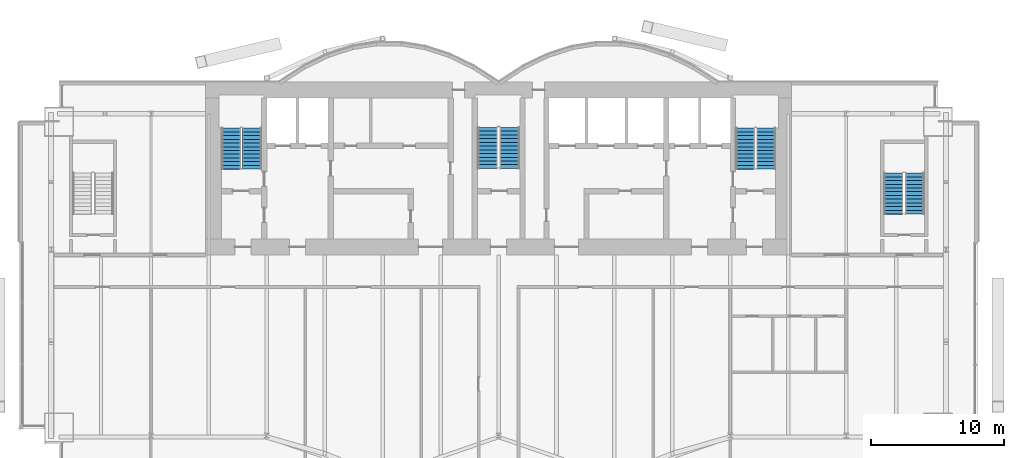
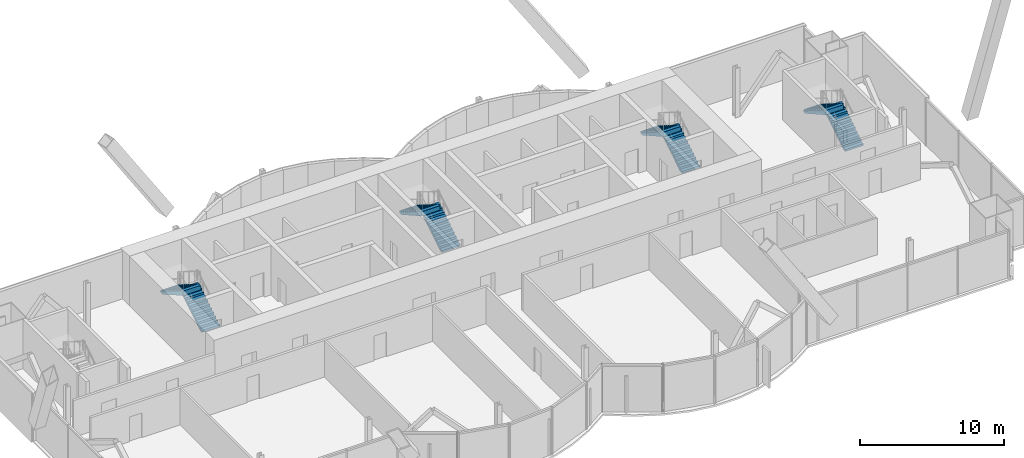
# One storey, part 20 of 23: 8 stair flights, 4 elements without a shape of their own.
"""IFC4 building model written with IfcOpenShell, lengths in metres."""

from ifc_helpers import new_model, si_unit, direction, frame, origin, place, context, subcontext, project, spatial, polyline, outline, extrude, material, type_object, element, aggregate, save


model = new_model("IFC4")

# Units and contexts
model_context = context("Model", 3, precision=1e-05, world=origin(), true_north=direction((0.0, 1.0)))
body_context = subcontext(model_context, "Body", "Model", "MODEL_VIEW")
ifc_project = project(units=[si_unit("LENGTHUNIT", "METRE"), si_unit("AREAUNIT", "SQUARE_METRE"), si_unit("VOLUMEUNIT", "CUBIC_METRE"), si_unit("PLANEANGLEUNIT", "RADIAN"), si_unit("MASSUNIT", "GRAM", prefix="KILO")], contexts=[model_context])

# Site, building, storey
site_placement = place(None, origin())
site = spatial("IfcSite", under=ifc_project, at=site_placement, CompositionType="ELEMENT")
building_placement = place(site_placement, origin())
building = spatial("IfcBuilding", under=site, at=building_placement, Name="Bicima Exchange Tower", CompositionType="ELEMENT")
storey_placement = place(building_placement, frame((0.0, 0.0, 262.39990234375)))
storey = spatial("IfcBuildingStorey", under=building, at=storey_placement, Name="L59", CompositionType="ELEMENT", Elevation=262.39990234375)

# Stair, stair flights
ifc_material = material(Name="Concrete C50/60", Category="concrete")
stair_type_1 = type_object("IfcStairType", Name="Exit stair", PredefinedType="HALF_TURN_STAIR", material=ifc_material)
stair_1_placement = place(storey_placement, origin())
stair_1 = element("IfcStair", 1, at=stair_1_placement, inside=storey, type_object=stair_type_1, Name="L59 West exit stair", PredefinedType="HALF_TURN_STAIR")
stair_flight_type_1 = type_object("IfcStairFlightType", Name="Stair flight RC", PredefinedType="STRAIGHT", material=ifc_material)
stair_flight_1_placement = place(storey_placement, frame((-18.52490234375, -6.550048828125, 0.0), z_axis=(0.0, 0.0, 1.0), x_axis=(0.0, 1.0, 0.0)))
stair_flight_1 = element("IfcStairFlight", 2, at=stair_flight_1_placement, type_object=stair_flight_type_1, Name="ST-W flight 1", NumberOfRisers=12, NumberOfTreads=11, PredefinedType="STRAIGHT", RiserHeight=0.175, TreadLength=0.28, context=body_context, shape_type="SweptSolid", body=[
    extrude(outline(polyline([(0.0, 0.0), (0.0, 0.175048828125), (0.280029296875, 0.175048828125), (0.280029296875, 0.35009765625), (0.56005859375, 0.35009765625), (0.56005859375, 0.52490234375), (0.840087890625, 0.52490234375), (0.840087890625, 0.699951171875), (1.1201171875, 0.699951171875), (1.1201171875, 0.875), (1.39990234375, 0.875), (1.39990234375, 1.050048828125), (1.679931640625, 1.050048828125), (1.679931640625, 1.22509765625), (1.9599609375, 1.22509765625), (1.9599609375, 1.39990234375), (2.239990234375, 1.39990234375), (2.239990234375, 1.574951171875), (2.52001953125, 1.574951171875), (2.52001953125, 1.75), (2.800048828125, 1.75), (2.800048828125, 1.925048828125), (3.080078125, 1.925048828125), (3.080078125, 2.10009765625), (3.080078125, 1.748291015625), (0.28271484375, 0.0), (0.0, 0.0)])), frame((0.0, 0.72509765625, 0.0), z_axis=(0.0, -1.0, 0.0), x_axis=(1.0, 0.0, 0.0)), (0.0, 0.0, 1.0), 1.449951171875),
])
stair_flight_2_placement = place(storey_placement, frame((-20.074951171875, -3.469970703125, 2.10009765625), z_axis=(0.0, 0.0, 1.0), x_axis=(0.0, -1.0, 0.0)))
stair_flight_2 = element("IfcStairFlight", 3, at=stair_flight_2_placement, type_object=stair_flight_type_1, Name="ST-W flight 2", NumberOfRisers=12, NumberOfTreads=11, PredefinedType="STRAIGHT", RiserHeight=0.175, TreadLength=0.28, context=body_context, shape_type="SweptSolid", body=[
    extrude(outline(polyline([(0.0, 0.0), (0.0, 0.175048828125), (0.280029296875, 0.175048828125), (0.280029296875, 0.35009765625), (0.56005859375, 0.35009765625), (0.56005859375, 0.52490234375), (0.840087890625, 0.52490234375), (0.840087890625, 0.699951171875), (1.1201171875, 0.699951171875), (1.1201171875, 0.875), (1.39990234375, 0.875), (1.39990234375, 1.050048828125), (1.679931640625, 1.050048828125), (1.679931640625, 1.22509765625), (1.9599609375, 1.22509765625), (1.9599609375, 1.39990234375), (2.239990234375, 1.39990234375), (2.239990234375, 1.574951171875), (2.52001953125, 1.574951171875), (2.52001953125, 1.75), (2.800048828125, 1.75), (2.800048828125, 1.925048828125), (3.080078125, 1.925048828125), (3.080078125, 1.9541015625), (3.094970703125, 1.9541015625), (3.094970703125, 1.58251953125), (0.28271484375, 0.0), (0.0, 0.0)])), frame((0.0, 0.72509765625, 0.0), z_axis=(0.0, -1.0, 0.0), x_axis=(1.0, 0.0, 0.0)), (0.0, 0.0, 1.0), 1.449951171875),
])
aggregate(stair_1, [stair_flight_1, stair_flight_2])

stair_2_placement = place(storey_placement, origin())
stair_2 = element("IfcStair", 4, at=stair_2_placement, inside=storey, type_object=stair_type_1, Name="L59 East exit stair", PredefinedType="HALF_TURN_STAIR")
stair_flight_3_placement = place(storey_placement, frame((20.074951171875, -6.550048828125, 0.0), z_axis=(0.0, 0.0, 1.0), x_axis=(0.0, 1.0, 0.0)))
stair_flight_3 = element("IfcStairFlight", 5, at=stair_flight_3_placement, type_object=stair_flight_type_1, Name="ST-E flight 1", NumberOfRisers=12, NumberOfTreads=11, PredefinedType="STRAIGHT", RiserHeight=0.175, TreadLength=0.28, context=body_context, shape_type="SweptSolid", body=[
    extrude(outline(polyline([(0.0, 0.0), (0.0, 0.175048828125), (0.280029296875, 0.175048828125), (0.280029296875, 0.35009765625), (0.56005859375, 0.35009765625), (0.56005859375, 0.52490234375), (0.840087890625, 0.52490234375), (0.840087890625, 0.699951171875), (1.1201171875, 0.699951171875), (1.1201171875, 0.875), (1.39990234375, 0.875), (1.39990234375, 1.050048828125), (1.679931640625, 1.050048828125), (1.679931640625, 1.22509765625), (1.9599609375, 1.22509765625), (1.9599609375, 1.39990234375), (2.239990234375, 1.39990234375), (2.239990234375, 1.574951171875), (2.52001953125, 1.574951171875), (2.52001953125, 1.75), (2.800048828125, 1.75), (2.800048828125, 1.925048828125), (3.080078125, 1.925048828125), (3.080078125, 2.10009765625), (3.080078125, 1.748291015625), (0.28271484375, 0.0), (0.0, 0.0)])), frame((0.0, 0.72509765625, 0.0), z_axis=(0.0, -1.0, 0.0), x_axis=(1.0, 0.0, 0.0)), (0.0, 0.0, 1.0), 1.449951171875),
])
stair_flight_4_placement = place(storey_placement, frame((18.52490234375, -3.469970703125, 2.10009765625), z_axis=(0.0, 0.0, 1.0), x_axis=(0.0, -1.0, 0.0)))
stair_flight_4 = element("IfcStairFlight", 6, at=stair_flight_4_placement, type_object=stair_flight_type_1, Name="ST-E flight 2", NumberOfRisers=12, NumberOfTreads=11, PredefinedType="STRAIGHT", RiserHeight=0.175, TreadLength=0.28, context=body_context, shape_type="SweptSolid", body=[
    extrude(outline(polyline([(0.0, 0.0), (0.0, 0.175048828125), (0.280029296875, 0.175048828125), (0.280029296875, 0.35009765625), (0.56005859375, 0.35009765625), (0.56005859375, 0.52490234375), (0.840087890625, 0.52490234375), (0.840087890625, 0.699951171875), (1.1201171875, 0.699951171875), (1.1201171875, 0.875), (1.39990234375, 0.875), (1.39990234375, 1.050048828125), (1.679931640625, 1.050048828125), (1.679931640625, 1.22509765625), (1.9599609375, 1.22509765625), (1.9599609375, 1.39990234375), (2.239990234375, 1.39990234375), (2.239990234375, 1.574951171875), (2.52001953125, 1.574951171875), (2.52001953125, 1.75), (2.800048828125, 1.75), (2.800048828125, 1.925048828125), (3.080078125, 1.925048828125), (3.080078125, 1.9541015625), (3.094970703125, 1.9541015625), (3.094970703125, 1.58251953125), (0.28271484375, 0.0), (0.0, 0.0)])), frame((0.0, 0.72509765625, 0.0), z_axis=(0.0, -1.0, 0.0), x_axis=(1.0, 0.0, 0.0)), (0.0, 0.0, 1.0), 1.449951171875),
])
aggregate(stair_2, [stair_flight_3, stair_flight_4])

stair_3_placement = place(storey_placement, origin())
stair_3 = element("IfcStair", 7, at=stair_3_placement, inside=storey, type_object=stair_type_1, Name="L59 East end exit stair", PredefinedType="HALF_TURN_STAIR")
stair_flight_5_placement = place(storey_placement, frame((31.25, -9.925048828125, 0.0), z_axis=(0.0, 0.0, 1.0), x_axis=(0.0, 1.0, 0.0)))
stair_flight_5 = element("IfcStairFlight", 8, at=stair_flight_5_placement, type_object=stair_flight_type_1, Name="ST-EE flight 1", NumberOfRisers=12, NumberOfTreads=11, PredefinedType="STRAIGHT", RiserHeight=0.175, TreadLength=0.28, context=body_context, shape_type="SweptSolid", body=[
    extrude(outline(polyline([(0.0, 0.0), (0.0, 0.175048828125), (0.280029296875, 0.175048828125), (0.280029296875, 0.35009765625), (0.56005859375, 0.35009765625), (0.56005859375, 0.52490234375), (0.840087890625, 0.52490234375), (0.840087890625, 0.699951171875), (1.1201171875, 0.699951171875), (1.1201171875, 0.875), (1.39990234375, 0.875), (1.39990234375, 1.050048828125), (1.679931640625, 1.050048828125), (1.679931640625, 1.22509765625), (1.9599609375, 1.22509765625), (1.9599609375, 1.39990234375), (2.239990234375, 1.39990234375), (2.239990234375, 1.574951171875), (2.52001953125, 1.574951171875), (2.52001953125, 1.75), (2.800048828125, 1.75), (2.800048828125, 1.925048828125), (3.080078125, 1.925048828125), (3.080078125, 2.10009765625), (3.080078125, 1.748291015625), (0.28271484375, 0.0), (0.0, 0.0)])), frame((0.0, 0.72509765625, 0.0), z_axis=(0.0, -1.0, 0.0), x_axis=(1.0, 0.0, 0.0)), (0.0, 0.0, 1.0), 1.449951171875),
])
stair_flight_6_placement = place(storey_placement, frame((29.64990234375, -6.844970703125, 2.10009765625), z_axis=(0.0, 0.0, 1.0), x_axis=(0.0, -1.0, 0.0)))
stair_flight_6 = element("IfcStairFlight", 9, at=stair_flight_6_placement, type_object=stair_flight_type_1, Name="ST-EE flight 2", NumberOfRisers=12, NumberOfTreads=11, PredefinedType="STRAIGHT", RiserHeight=0.175, TreadLength=0.28, context=body_context, shape_type="SweptSolid", body=[
    extrude(outline(polyline([(0.0, 0.0), (0.0, 0.175048828125), (0.280029296875, 0.175048828125), (0.280029296875, 0.35009765625), (0.56005859375, 0.35009765625), (0.56005859375, 0.52490234375), (0.840087890625, 0.52490234375), (0.840087890625, 0.699951171875), (1.1201171875, 0.699951171875), (1.1201171875, 0.875), (1.39990234375, 0.875), (1.39990234375, 1.050048828125), (1.679931640625, 1.050048828125), (1.679931640625, 1.22509765625), (1.9599609375, 1.22509765625), (1.9599609375, 1.39990234375), (2.239990234375, 1.39990234375), (2.239990234375, 1.574951171875), (2.52001953125, 1.574951171875), (2.52001953125, 1.75), (2.800048828125, 1.75), (2.800048828125, 1.925048828125), (3.080078125, 1.925048828125), (3.080078125, 1.9541015625), (3.094970703125, 1.9541015625), (3.094970703125, 1.58251953125), (0.28271484375, 0.0), (0.0, 0.0)])), frame((0.0, 0.72509765625, 0.0), z_axis=(0.0, -1.0, 0.0), x_axis=(1.0, 0.0, 0.0)), (0.0, 0.0, 1.0), 1.449951171875),
])
aggregate(stair_3, [stair_flight_5, stair_flight_6])

stair_type_2 = type_object("IfcStairType", Name="Exit stair 1500", PredefinedType="HALF_TURN_STAIR", material=ifc_material)
stair_4_placement = place(storey_placement, origin())
stair_4 = element("IfcStair", 10, at=stair_4_placement, inside=storey, type_object=stair_type_2, Name="L59 Central exit stair", PredefinedType="HALF_TURN_STAIR")
stair_flight_type_2 = type_object("IfcStairFlightType", Name="Stair flight RC 1500", PredefinedType="STRAIGHT", material=ifc_material)
stair_flight_7_placement = place(storey_placement, frame((0.824951171875, -6.5, 0.0), z_axis=(0.0, 0.0, 1.0), x_axis=(0.0, 1.0, 0.0)))
stair_flight_7 = element("IfcStairFlight", 11, at=stair_flight_7_placement, type_object=stair_flight_type_2, Name="ST-C flight 1", NumberOfRisers=12, NumberOfTreads=11, PredefinedType="STRAIGHT", RiserHeight=0.175, TreadLength=0.28, context=body_context, shape_type="SweptSolid", body=[
    extrude(outline(polyline([(0.0, 0.0), (0.0, 0.175048828125), (0.280029296875, 0.175048828125), (0.280029296875, 0.35009765625), (0.56005859375, 0.35009765625), (0.56005859375, 0.52490234375), (0.840087890625, 0.52490234375), (0.840087890625, 0.699951171875), (1.1201171875, 0.699951171875), (1.1201171875, 0.875), (1.39990234375, 0.875), (1.39990234375, 1.050048828125), (1.679931640625, 1.050048828125), (1.679931640625, 1.22509765625), (1.9599609375, 1.22509765625), (1.9599609375, 1.39990234375), (2.239990234375, 1.39990234375), (2.239990234375, 1.574951171875), (2.52001953125, 1.574951171875), (2.52001953125, 1.75), (2.800048828125, 1.75), (2.800048828125, 1.925048828125), (3.080078125, 1.925048828125), (3.080078125, 2.10009765625), (3.080078125, 1.748291015625), (0.28271484375, 0.0), (0.0, 0.0)])), frame((0.0, 0.75, 0.0), z_axis=(0.0, -1.0, 0.0), x_axis=(1.0, 0.0, 0.0)), (0.0, 0.0, 1.0), 1.5),
])
stair_flight_8_placement = place(storey_placement, frame((-0.824951171875, -3.419921875, 2.10009765625), z_axis=(0.0, 0.0, 1.0), x_axis=(0.0, -1.0, 0.0)))
stair_flight_8 = element("IfcStairFlight", 12, at=stair_flight_8_placement, type_object=stair_flight_type_2, Name="ST-C flight 2", NumberOfRisers=12, NumberOfTreads=11, PredefinedType="STRAIGHT", RiserHeight=0.175, TreadLength=0.28, context=body_context, shape_type="SweptSolid", body=[
    extrude(outline(polyline([(0.0, 0.0), (0.0, 0.175048828125), (0.280029296875, 0.175048828125), (0.280029296875, 0.35009765625), (0.56005859375, 0.35009765625), (0.56005859375, 0.52490234375), (0.840087890625, 0.52490234375), (0.840087890625, 0.699951171875), (1.1201171875, 0.699951171875), (1.1201171875, 0.875), (1.39990234375, 0.875), (1.39990234375, 1.050048828125), (1.679931640625, 1.050048828125), (1.679931640625, 1.22509765625), (1.9599609375, 1.22509765625), (1.9599609375, 1.39990234375), (2.239990234375, 1.39990234375), (2.239990234375, 1.574951171875), (2.52001953125, 1.574951171875), (2.52001953125, 1.75), (2.800048828125, 1.75), (2.800048828125, 1.925048828125), (3.080078125, 1.925048828125), (3.080078125, 1.9541015625), (3.094970703125, 1.9541015625), (3.094970703125, 1.58251953125), (0.28271484375, 0.0), (0.0, 0.0)])), frame((0.0, 0.75, 0.0), z_axis=(0.0, -1.0, 0.0), x_axis=(1.0, 0.0, 0.0)), (0.0, 0.0, 1.0), 1.5),
])
aggregate(stair_4, [stair_flight_7, stair_flight_8])

save(model, "model.ifc")
